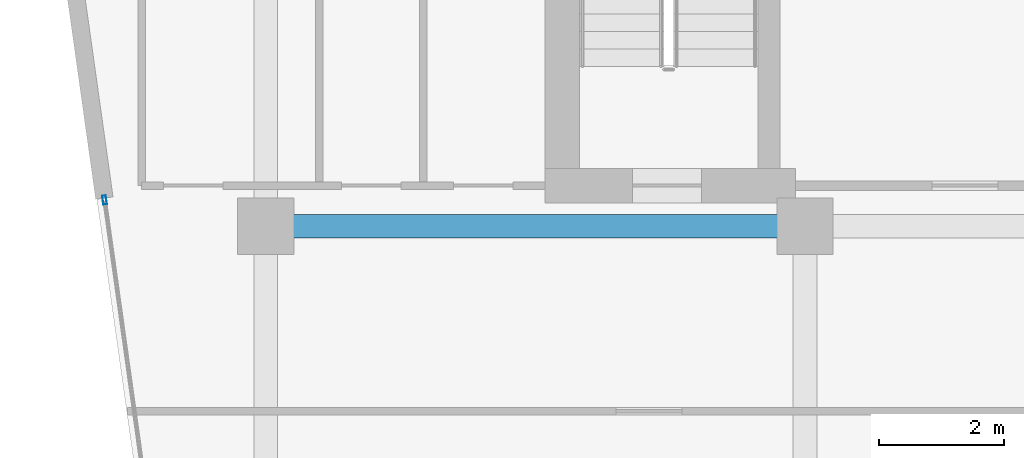
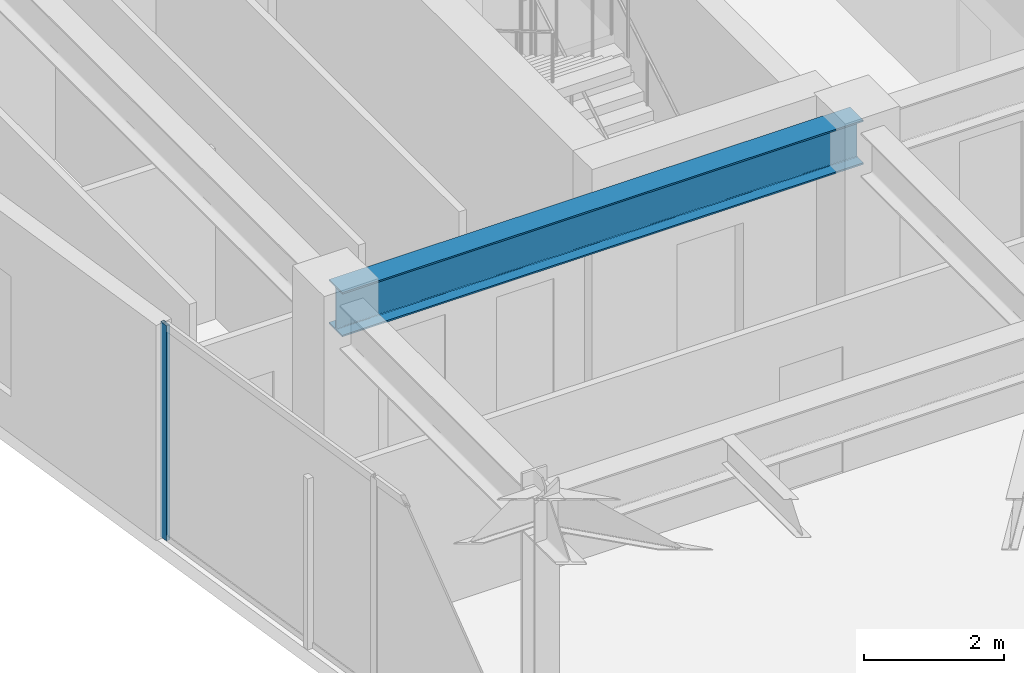
# One storey, part 12 of 26: 1 beam, 1 member, 1 element without a shape of its own.
"""IFC4 building model written with IfcOpenShell, lengths in metres."""

from ifc_helpers import new_model, si_unit, direction, frame, origin, origin_2d, place, context, subcontext, project, spatial, hollow_rectangle, i_section, extrude, material, layer, layer_set, material_profile, profile_set, type_object, element, aggregate, save


model = new_model("IFC4")

# Units and contexts
model_context = context("Model", 3, precision=1e-05, world=origin(), true_north=direction((0.0, 1.0)))
body_context = subcontext(model_context, "Body", "Model", "MODEL_VIEW")
ifc_project = project(units=[si_unit("LENGTHUNIT", "METRE"), si_unit("AREAUNIT", "SQUARE_METRE"), si_unit("VOLUMEUNIT", "CUBIC_METRE"), si_unit("PLANEANGLEUNIT", "RADIAN"), si_unit("MASSUNIT", "GRAM", prefix="KILO")], contexts=[model_context])

# Site, building, storey
site_placement = place(None, origin())
site = spatial("IfcSite", under=ifc_project, at=site_placement, CompositionType="ELEMENT")
building_placement = place(site_placement, origin())
building = spatial("IfcBuilding", under=site, at=building_placement, Name="Kravanh Interchange Tower", CompositionType="ELEMENT")
storey_placement = place(building_placement, frame((0.0, 0.0, 204.5)))
storey = spatial("IfcBuildingStorey", under=building, at=storey_placement, Name="L49", CompositionType="ELEMENT", Elevation=204.5)

# Curtain wall, member
ifc_material_1 = material(Name="Anodised Bronze Aluminium", Category="aluminium")
ifc_layer = layer(ifc_material_1, 0.179931640625)
ifc_layer_set = layer_set([ifc_layer], Name="Unitised Curtain Wall System CW-Z3 Upper Office")
curtain_wall_type = type_object("IfcCurtainWallType", Name="Unitised Curtain Wall System CW-Z3 Upper Office", PredefinedType="NOTDEFINED", material=ifc_layer_set)
curtain_wall_placement = place(storey_placement, origin())
curtain_wall = element("IfcCurtainWall", 1, at=curtain_wall_placement, inside=storey, type_object=curtain_wall_type, Name="L49 Unitised Curtain Wall CW-L49-01", PredefinedType="NOTDEFINED")
ifc_material_2 = material(Name="Anodised Bronze Aluminium", Category="aluminium")
ifc_material_profile_1 = material_profile(ifc_material_2, hollow_rectangle(XDim=0.06005859375, YDim=0.139892578125, WallThickness=0.00390625, at=origin_2d()), Name="ALU60X140X4")
ifc_profile_set_1 = profile_set([ifc_material_profile_1], Name="Anodised Bronze Aluminium")
member_type = type_object("IfcMemberType", Name="Curtain Wall Mullion ALU60X140X4 Bronze", PredefinedType="MULLION", material=ifc_profile_set_1)
member_placement = place(storey_placement, frame((16.029296875, 37.770263671875, 0.0), z_axis=(0.0, 0.0, 1.0), x_axis=(-0.990268194035, -0.139172209446, 0.0)))
member = element("IfcMember", 2, at=member_placement, type_object=member_type, Name="CW-Z3 mullion 6", PredefinedType="MULLION", context=body_context, shape_type="SweptSolid", body=[
    extrude(hollow_rectangle(XDim=0.06005859375, YDim=0.139892578125, WallThickness=0.00390625, at=origin_2d()), origin(), (0.0, 0.0, 1.0), 3.7548828125),
])
aggregate(curtain_wall, [member])

# Beam
ifc_material_3 = material(Name="Structural Steel S355", Category="steel")
ifc_material_profile_2 = material_profile(ifc_material_3, i_section(OverallWidth=0.381103515625, OverallDepth=0.77294921875, WebThickness=0.0166015625, FlangeThickness=0.027099609375, FilletRadius=0.02490234375, at=origin_2d()), Name="W30X173")
ifc_profile_set_2 = profile_set([ifc_material_profile_2], Name="Structural Steel S355")
beam_type = type_object("IfcBeamType", Name="Floor Beam W30X173 Structural Steel S355", PredefinedType="BEAM", material=ifc_profile_set_2)
beam_placement = place(storey_placement, frame((27.199951171875, 37.35009765625, 3.368408203125), z_axis=(-1.0, 0.0, 0.0), x_axis=(0.0, -1.0, 0.0)))
element("IfcBeam", 3, at=beam_placement, inside=storey, type_object=beam_type, Name="L49 Primary Floor Girder 25", PredefinedType="BEAM", context=body_context, shape_type="SweptSolid", body=[
    extrude(i_section(OverallWidth=0.381103515625, OverallDepth=0.77294921875, WebThickness=0.0166015625, FlangeThickness=0.027099609375, FilletRadius=0.02490234375, at=origin_2d()), origin(), (0.0, 0.0, 1.0), 8.599853515625),
])

save(model, "model.ifc")
